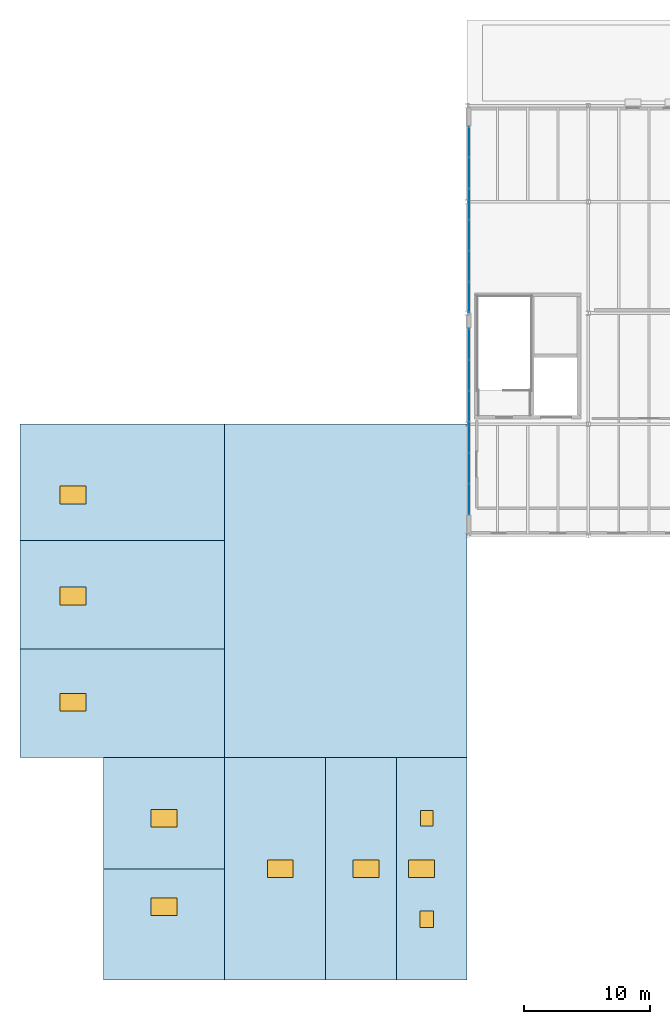
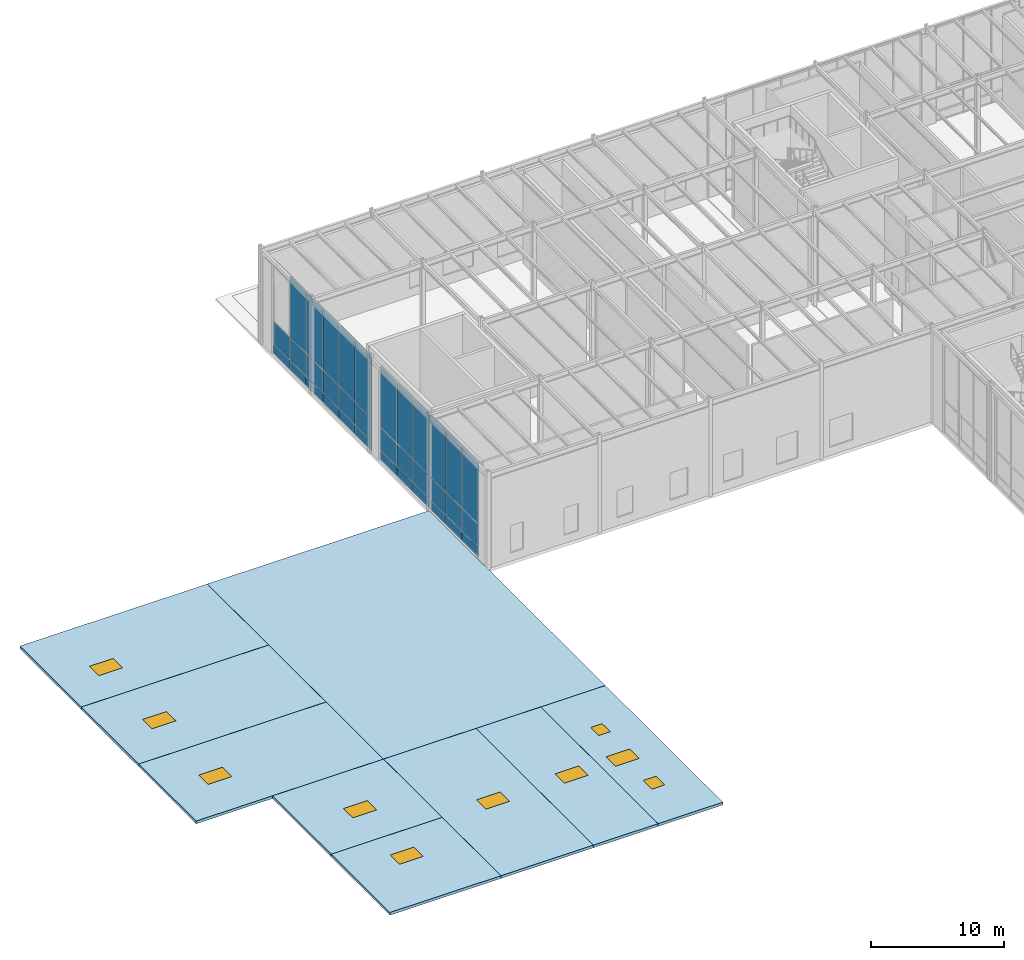
# One storey, part 25 of 48: 35 plates, 9 slabs, 8 windows, 2 doors, 10 openings, 2 elements without a shape of their own.
"""IFC4 building model written with IfcOpenShell, lengths in metres."""

from ifc_helpers import new_model, si_unit, direction, frame, origin, origin_2d, place, context, subcontext, project, spatial, polyline, rectangle, outline, extrude, material, layer, layer_set, type_object, element, fill, aggregate, save


model = new_model("IFC4")

# Units and contexts
model_context = context("Model", 3, precision=1e-05, world=origin(), true_north=direction((0.0, 1.0)))
body_context = subcontext(model_context, "Body", "Model", "MODEL_VIEW")
ifc_project = project(units=[si_unit("LENGTHUNIT", "METRE"), si_unit("AREAUNIT", "SQUARE_METRE"), si_unit("VOLUMEUNIT", "CUBIC_METRE"), si_unit("PLANEANGLEUNIT", "RADIAN"), si_unit("MASSUNIT", "GRAM", prefix="KILO")], contexts=[model_context])

# Site, building, storey
site_placement = place(None, origin())
site = spatial("IfcSite", under=ifc_project, at=site_placement, CompositionType="ELEMENT")
building_placement = place(site_placement, origin())
building = spatial("IfcBuilding", under=site, at=building_placement, Name="Sarnbrook Museum", CompositionType="ELEMENT")
storey_placement = place(building_placement, frame((0.0, 0.0, 19.10009765625)))
storey = spatial("IfcBuildingStorey", under=building, at=storey_placement, Name="L04", CompositionType="ELEMENT", Elevation=19.10009765625)

# Curtain wall, plates
ifc_material_1 = material(Name="Thermally Broken Anodised Aluminium 6063-T6", Category="aluminium")
curtain_wall_type = type_object("IfcCurtainWallType", Name="CurtainWall_GalleryRibbon", PredefinedType="NOTDEFINED", material=ifc_material_1)
curtain_wall_1_placement = place(storey_placement, origin())
curtain_wall_1 = element("IfcCurtainWall", 1, at=curtain_wall_1_placement, inside=storey, type_object=curtain_wall_type, Name="Gallery Ribbon Curtain Wall L04-2.1", PredefinedType="NOTDEFINED")
ifc_material_2 = material(Name="Double-Glazed Low-Iron Laminated Safety Glass", Category="glass")
ifc_layer_1 = layer(ifc_material_2, 0.031982421875)
ifc_layer_set_1 = layer_set([ifc_layer_1], Name="Double-Glazed Low-Iron Laminated Safety Glass")
plate_type_1 = type_object("IfcPlateType", Name="CW_GlazedPanel_32", PredefinedType="CURTAIN_PANEL", material=ifc_layer_set_1)
plate_1_placement = place(storey_placement, frame((42.56787109375, 105.550048828125, 1.949951171875), z_axis=(-1.0, 0.0, 0.0), x_axis=(0.0, -1.0, 0.0)))
plate_1 = element("IfcPlate", 2, at=plate_1_placement, type_object=plate_type_1, Name="Gallery Ribbon Curtain Wall L04-2.1 Glazed Panel 1-2", PredefinedType="CURTAIN_PANEL", context=body_context, shape_type="SweptSolid", body=[
    extrude(rectangle(XDim=2.385009765625, YDim=2.030029296875, at=origin_2d()), origin(), (0.0, 0.0, 1.0), 0.031982421875),
])
plate_2_placement = place(storey_placement, frame((42.56787109375, 103.090087890625, 1.949951171875), z_axis=(-1.0, 0.0, 0.0), x_axis=(0.0, -1.0, 0.0)))
plate_2 = element("IfcPlate", 3, at=plate_2_placement, type_object=plate_type_1, Name="Gallery Ribbon Curtain Wall L04-2.1 Glazed Panel 2-2", PredefinedType="CURTAIN_PANEL", context=body_context, shape_type="SweptSolid", body=[
    extrude(rectangle(XDim=2.385009765625, YDim=2.030029296875, at=origin_2d()), origin(), (0.0, 0.0, 1.0), 0.031982421875),
])
plate_3_placement = place(storey_placement, frame((42.56787109375, 103.090087890625, 5.829833984375), z_axis=(-1.0, 0.0, 0.0), x_axis=(0.0, -1.0, 0.0)))
plate_3 = element("IfcPlate", 4, at=plate_3_placement, type_object=plate_type_1, Name="Gallery Ribbon Curtain Wall L04-2.1 Glazed Panel 2-3", PredefinedType="CURTAIN_PANEL", context=body_context, shape_type="SweptSolid", body=[
    extrude(rectangle(XDim=2.385009765625, YDim=5.590087890625, at=origin_2d()), origin(), (0.0, 0.0, 1.0), 0.031982421875),
])
plate_4_placement = place(storey_placement, frame((42.56787109375, 100.6298828125, 1.949951171875), z_axis=(-1.0, 0.0, 0.0), x_axis=(0.0, -1.0, 0.0)))
plate_4 = element("IfcPlate", 5, at=plate_4_placement, type_object=plate_type_1, Name="Gallery Ribbon Curtain Wall L04-2.1 Glazed Panel 3-2", PredefinedType="CURTAIN_PANEL", context=body_context, shape_type="SweptSolid", body=[
    extrude(rectangle(XDim=2.385009765625, YDim=2.030029296875, at=origin_2d()), origin(), (0.0, 0.0, 1.0), 0.031982421875),
])
plate_5_placement = place(storey_placement, frame((42.56787109375, 100.6298828125, 5.829833984375), z_axis=(-1.0, 0.0, 0.0), x_axis=(0.0, -1.0, 0.0)))
plate_5 = element("IfcPlate", 6, at=plate_5_placement, type_object=plate_type_1, Name="Gallery Ribbon Curtain Wall L04-2.1 Glazed Panel 3-3", PredefinedType="CURTAIN_PANEL", context=body_context, shape_type="SweptSolid", body=[
    extrude(rectangle(XDim=2.385009765625, YDim=5.590087890625, at=origin_2d()), origin(), (0.0, 0.0, 1.0), 0.031982421875),
])
plate_6_placement = place(storey_placement, frame((42.56787109375, 98.169921875, 1.949951171875), z_axis=(-1.0, 0.0, 0.0), x_axis=(0.0, -1.0, 0.0)))
plate_6 = element("IfcPlate", 7, at=plate_6_placement, type_object=plate_type_1, Name="Gallery Ribbon Curtain Wall L04-2.1 Glazed Panel 4-2", PredefinedType="CURTAIN_PANEL", context=body_context, shape_type="SweptSolid", body=[
    extrude(rectangle(XDim=2.385009765625, YDim=2.030029296875, at=origin_2d()), origin(), (0.0, 0.0, 1.0), 0.031982421875),
])
plate_7_placement = place(storey_placement, frame((42.56787109375, 98.169921875, 5.829833984375), z_axis=(-1.0, 0.0, 0.0), x_axis=(0.0, -1.0, 0.0)))
plate_7 = element("IfcPlate", 8, at=plate_7_placement, type_object=plate_type_1, Name="Gallery Ribbon Curtain Wall L04-2.1 Glazed Panel 4-3", PredefinedType="CURTAIN_PANEL", context=body_context, shape_type="SweptSolid", body=[
    extrude(rectangle(XDim=2.385009765625, YDim=5.590087890625, at=origin_2d()), origin(), (0.0, 0.0, 1.0), 0.031982421875),
])
plate_8_placement = place(storey_placement, frame((42.56787109375, 95.7099609375, 1.949951171875), z_axis=(-1.0, 0.0, 0.0), x_axis=(0.0, -1.0, 0.0)))
plate_8 = element("IfcPlate", 9, at=plate_8_placement, type_object=plate_type_1, Name="Gallery Ribbon Curtain Wall L04-2.1 Glazed Panel 5-2", PredefinedType="CURTAIN_PANEL", context=body_context, shape_type="SweptSolid", body=[
    extrude(rectangle(XDim=2.385009765625, YDim=2.030029296875, at=origin_2d()), origin(), (0.0, 0.0, 1.0), 0.031982421875),
])
plate_9_placement = place(storey_placement, frame((42.56787109375, 95.7099609375, 5.829833984375), z_axis=(-1.0, 0.0, 0.0), x_axis=(0.0, -1.0, 0.0)))
plate_9 = element("IfcPlate", 10, at=plate_9_placement, type_object=plate_type_1, Name="Gallery Ribbon Curtain Wall L04-2.1 Glazed Panel 5-3", PredefinedType="CURTAIN_PANEL", context=body_context, shape_type="SweptSolid", body=[
    extrude(rectangle(XDim=2.385009765625, YDim=5.590087890625, at=origin_2d()), origin(), (0.0, 0.0, 1.0), 0.031982421875),
])
plate_10_placement = place(storey_placement, frame((42.56787109375, 93.25, 1.949951171875), z_axis=(-1.0, 0.0, 0.0), x_axis=(0.0, -1.0, 0.0)))
plate_10 = element("IfcPlate", 11, at=plate_10_placement, type_object=plate_type_1, Name="Gallery Ribbon Curtain Wall L04-2.1 Glazed Panel 6-2", PredefinedType="CURTAIN_PANEL", context=body_context, shape_type="SweptSolid", body=[
    extrude(rectangle(XDim=2.385009765625, YDim=2.030029296875, at=origin_2d()), origin(), (0.0, 0.0, 1.0), 0.031982421875),
])
plate_11_placement = place(storey_placement, frame((42.56787109375, 93.25, 5.829833984375), z_axis=(-1.0, 0.0, 0.0), x_axis=(0.0, -1.0, 0.0)))
plate_11 = element("IfcPlate", 12, at=plate_11_placement, type_object=plate_type_1, Name="Gallery Ribbon Curtain Wall L04-2.1 Glazed Panel 6-3", PredefinedType="CURTAIN_PANEL", context=body_context, shape_type="SweptSolid", body=[
    extrude(rectangle(XDim=2.385009765625, YDim=5.590087890625, at=origin_2d()), origin(), (0.0, 0.0, 1.0), 0.031982421875),
])

curtain_wall_2_placement = place(storey_placement, origin())
curtain_wall_2 = element("IfcCurtainWall", 13, at=curtain_wall_2_placement, inside=storey, type_object=curtain_wall_type, Name="Gallery Ribbon Curtain Wall L04-2.2", PredefinedType="NOTDEFINED")
plate_12_placement = place(storey_placement, frame((42.56787109375, 89.550048828125, 1.949951171875), z_axis=(-1.0, 0.0, 0.0), x_axis=(0.0, -1.0, 0.0)))
plate_12 = element("IfcPlate", 14, at=plate_12_placement, type_object=plate_type_1, Name="Gallery Ribbon Curtain Wall L04-2.2 Glazed Panel 1-2", PredefinedType="CURTAIN_PANEL", context=body_context, shape_type="SweptSolid", body=[
    extrude(rectangle(XDim=2.385009765625, YDim=2.030029296875, at=origin_2d()), origin(), (0.0, 0.0, 1.0), 0.031982421875),
])
plate_13_placement = place(storey_placement, frame((42.56787109375, 89.550048828125, 5.829833984375), z_axis=(-1.0, 0.0, 0.0), x_axis=(0.0, -1.0, 0.0)))
plate_13 = element("IfcPlate", 15, at=plate_13_placement, type_object=plate_type_1, Name="Gallery Ribbon Curtain Wall L04-2.2 Glazed Panel 1-3", PredefinedType="CURTAIN_PANEL", context=body_context, shape_type="SweptSolid", body=[
    extrude(rectangle(XDim=2.385009765625, YDim=5.590087890625, at=origin_2d()), origin(), (0.0, 0.0, 1.0), 0.031982421875),
])
plate_14_placement = place(storey_placement, frame((42.56787109375, 87.090087890625, 1.949951171875), z_axis=(-1.0, 0.0, 0.0), x_axis=(0.0, -1.0, 0.0)))
plate_14 = element("IfcPlate", 16, at=plate_14_placement, type_object=plate_type_1, Name="Gallery Ribbon Curtain Wall L04-2.2 Glazed Panel 2-2", PredefinedType="CURTAIN_PANEL", context=body_context, shape_type="SweptSolid", body=[
    extrude(rectangle(XDim=2.385009765625, YDim=2.030029296875, at=origin_2d()), origin(), (0.0, 0.0, 1.0), 0.031982421875),
])
plate_15_placement = place(storey_placement, frame((42.56787109375, 87.090087890625, 5.829833984375), z_axis=(-1.0, 0.0, 0.0), x_axis=(0.0, -1.0, 0.0)))
plate_15 = element("IfcPlate", 17, at=plate_15_placement, type_object=plate_type_1, Name="Gallery Ribbon Curtain Wall L04-2.2 Glazed Panel 2-3", PredefinedType="CURTAIN_PANEL", context=body_context, shape_type="SweptSolid", body=[
    extrude(rectangle(XDim=2.385009765625, YDim=5.590087890625, at=origin_2d()), origin(), (0.0, 0.0, 1.0), 0.031982421875),
])
plate_16_placement = place(storey_placement, frame((42.56787109375, 84.6298828125, 1.949951171875), z_axis=(-1.0, 0.0, 0.0), x_axis=(0.0, -1.0, 0.0)))
plate_16 = element("IfcPlate", 18, at=plate_16_placement, type_object=plate_type_1, Name="Gallery Ribbon Curtain Wall L04-2.2 Glazed Panel 3-2", PredefinedType="CURTAIN_PANEL", context=body_context, shape_type="SweptSolid", body=[
    extrude(rectangle(XDim=2.385009765625, YDim=2.030029296875, at=origin_2d()), origin(), (0.0, 0.0, 1.0), 0.031982421875),
])
plate_17_placement = place(storey_placement, frame((42.56787109375, 84.6298828125, 5.829833984375), z_axis=(-1.0, 0.0, 0.0), x_axis=(0.0, -1.0, 0.0)))
plate_17 = element("IfcPlate", 19, at=plate_17_placement, type_object=plate_type_1, Name="Gallery Ribbon Curtain Wall L04-2.2 Glazed Panel 3-3", PredefinedType="CURTAIN_PANEL", context=body_context, shape_type="SweptSolid", body=[
    extrude(rectangle(XDim=2.385009765625, YDim=5.590087890625, at=origin_2d()), origin(), (0.0, 0.0, 1.0), 0.031982421875),
])
plate_18_placement = place(storey_placement, frame((42.56787109375, 82.169921875, 1.949951171875), z_axis=(-1.0, 0.0, 0.0), x_axis=(0.0, -1.0, 0.0)))
plate_18 = element("IfcPlate", 20, at=plate_18_placement, type_object=plate_type_1, Name="Gallery Ribbon Curtain Wall L04-2.2 Glazed Panel 4-2", PredefinedType="CURTAIN_PANEL", context=body_context, shape_type="SweptSolid", body=[
    extrude(rectangle(XDim=2.385009765625, YDim=2.030029296875, at=origin_2d()), origin(), (0.0, 0.0, 1.0), 0.031982421875),
])
plate_19_placement = place(storey_placement, frame((42.56787109375, 82.169921875, 5.829833984375), z_axis=(-1.0, 0.0, 0.0), x_axis=(0.0, -1.0, 0.0)))
plate_19 = element("IfcPlate", 21, at=plate_19_placement, type_object=plate_type_1, Name="Gallery Ribbon Curtain Wall L04-2.2 Glazed Panel 4-3", PredefinedType="CURTAIN_PANEL", context=body_context, shape_type="SweptSolid", body=[
    extrude(rectangle(XDim=2.385009765625, YDim=5.590087890625, at=origin_2d()), origin(), (0.0, 0.0, 1.0), 0.031982421875),
])
plate_20_placement = place(storey_placement, frame((42.56787109375, 79.7099609375, 1.949951171875), z_axis=(-1.0, 0.0, 0.0), x_axis=(0.0, -1.0, 0.0)))
plate_20 = element("IfcPlate", 22, at=plate_20_placement, type_object=plate_type_1, Name="Gallery Ribbon Curtain Wall L04-2.2 Glazed Panel 5-2", PredefinedType="CURTAIN_PANEL", context=body_context, shape_type="SweptSolid", body=[
    extrude(rectangle(XDim=2.385009765625, YDim=2.030029296875, at=origin_2d()), origin(), (0.0, 0.0, 1.0), 0.031982421875),
])
plate_21_placement = place(storey_placement, frame((42.56787109375, 79.7099609375, 5.829833984375), z_axis=(-1.0, 0.0, 0.0), x_axis=(0.0, -1.0, 0.0)))
plate_21 = element("IfcPlate", 23, at=plate_21_placement, type_object=plate_type_1, Name="Gallery Ribbon Curtain Wall L04-2.2 Glazed Panel 5-3", PredefinedType="CURTAIN_PANEL", context=body_context, shape_type="SweptSolid", body=[
    extrude(rectangle(XDim=2.385009765625, YDim=5.590087890625, at=origin_2d()), origin(), (0.0, 0.0, 1.0), 0.031982421875),
])
plate_22_placement = place(storey_placement, frame((42.56787109375, 77.25, 1.949951171875), z_axis=(-1.0, 0.0, 0.0), x_axis=(0.0, -1.0, 0.0)))
plate_22 = element("IfcPlate", 24, at=plate_22_placement, type_object=plate_type_1, Name="Gallery Ribbon Curtain Wall L04-2.2 Glazed Panel 6-2", PredefinedType="CURTAIN_PANEL", context=body_context, shape_type="SweptSolid", body=[
    extrude(rectangle(XDim=2.385009765625, YDim=2.030029296875, at=origin_2d()), origin(), (0.0, 0.0, 1.0), 0.031982421875),
])
plate_23_placement = place(storey_placement, frame((42.56787109375, 77.25, 5.829833984375), z_axis=(-1.0, 0.0, 0.0), x_axis=(0.0, -1.0, 0.0)))
plate_23 = element("IfcPlate", 25, at=plate_23_placement, type_object=plate_type_1, Name="Gallery Ribbon Curtain Wall L04-2.2 Glazed Panel 6-3", PredefinedType="CURTAIN_PANEL", context=body_context, shape_type="SweptSolid", body=[
    extrude(rectangle(XDim=2.385009765625, YDim=5.590087890625, at=origin_2d()), origin(), (0.0, 0.0, 1.0), 0.031982421875),
])

# Plate
ifc_material_3 = material(Name="Patinated Architectural Bronze")
ifc_layer_2 = layer(ifc_material_3, 0.044921875)
ifc_layer_set_2 = layer_set([ifc_layer_2], Name="Patinated Architectural Bronze")
plate_type_2 = type_object("IfcPlateType", Name="CW_SpandrelPanel_45", PredefinedType="CURTAIN_PANEL", material=ifc_layer_set_2)
plate_24_placement = place(storey_placement, frame((42.574462890625, 105.550048828125, 0.449951171875), z_axis=(-1.0, 0.0, 0.0), x_axis=(0.0, -1.0, 0.0)))
plate_24 = element("IfcPlate", 26, at=plate_24_placement, type_object=plate_type_2, Name="Gallery Ribbon Curtain Wall L04-2.1 Spandrel Panel 1-1", PredefinedType="CURTAIN_PANEL", context=body_context, shape_type="SweptSolid", body=[
    extrude(rectangle(XDim=2.385009765625, YDim=0.830078125, at=origin_2d()), origin(), (0.0, 0.0, 1.0), 0.044921875),
])

plate_25_placement = place(storey_placement, frame((42.574462890625, 103.090087890625, 0.449951171875), z_axis=(-1.0, 0.0, 0.0), x_axis=(0.0, -1.0, 0.0)))
plate_25 = element("IfcPlate", 27, at=plate_25_placement, type_object=plate_type_2, Name="Gallery Ribbon Curtain Wall L04-2.1 Spandrel Panel 2-1", PredefinedType="CURTAIN_PANEL", context=body_context, shape_type="SweptSolid", body=[
    extrude(rectangle(XDim=2.385009765625, YDim=0.830078125, at=origin_2d()), origin(), (0.0, 0.0, 1.0), 0.044921875),
])

plate_26_placement = place(storey_placement, frame((42.574462890625, 100.6298828125, 0.449951171875), z_axis=(-1.0, 0.0, 0.0), x_axis=(0.0, -1.0, 0.0)))
plate_26 = element("IfcPlate", 28, at=plate_26_placement, type_object=plate_type_2, Name="Gallery Ribbon Curtain Wall L04-2.1 Spandrel Panel 3-1", PredefinedType="CURTAIN_PANEL", context=body_context, shape_type="SweptSolid", body=[
    extrude(rectangle(XDim=2.385009765625, YDim=0.830078125, at=origin_2d()), origin(), (0.0, 0.0, 1.0), 0.044921875),
])

plate_27_placement = place(storey_placement, frame((42.574462890625, 98.169921875, 0.449951171875), z_axis=(-1.0, 0.0, 0.0), x_axis=(0.0, -1.0, 0.0)))
plate_27 = element("IfcPlate", 29, at=plate_27_placement, type_object=plate_type_2, Name="Gallery Ribbon Curtain Wall L04-2.1 Spandrel Panel 4-1", PredefinedType="CURTAIN_PANEL", context=body_context, shape_type="SweptSolid", body=[
    extrude(rectangle(XDim=2.385009765625, YDim=0.830078125, at=origin_2d()), origin(), (0.0, 0.0, 1.0), 0.044921875),
])

plate_28_placement = place(storey_placement, frame((42.574462890625, 95.7099609375, 0.449951171875), z_axis=(-1.0, 0.0, 0.0), x_axis=(0.0, -1.0, 0.0)))
plate_28 = element("IfcPlate", 30, at=plate_28_placement, type_object=plate_type_2, Name="Gallery Ribbon Curtain Wall L04-2.1 Spandrel Panel 5-1", PredefinedType="CURTAIN_PANEL", context=body_context, shape_type="SweptSolid", body=[
    extrude(rectangle(XDim=2.385009765625, YDim=0.830078125, at=origin_2d()), origin(), (0.0, 0.0, 1.0), 0.044921875),
])

plate_29_placement = place(storey_placement, frame((42.574462890625, 93.25, 0.449951171875), z_axis=(-1.0, 0.0, 0.0), x_axis=(0.0, -1.0, 0.0)))
plate_29 = element("IfcPlate", 31, at=plate_29_placement, type_object=plate_type_2, Name="Gallery Ribbon Curtain Wall L04-2.1 Spandrel Panel 6-1", PredefinedType="CURTAIN_PANEL", context=body_context, shape_type="SweptSolid", body=[
    extrude(rectangle(XDim=2.385009765625, YDim=0.830078125, at=origin_2d()), origin(), (0.0, 0.0, 1.0), 0.044921875),
])

aggregate(curtain_wall_1, [plate_24, plate_1, plate_25, plate_2, plate_3, plate_26, plate_4, plate_5, plate_27, plate_6, plate_7, plate_28, plate_8, plate_9, plate_29, plate_10, plate_11])

plate_30_placement = place(storey_placement, frame((42.574462890625, 89.550048828125, 0.449951171875), z_axis=(-1.0, 0.0, 0.0), x_axis=(0.0, -1.0, 0.0)))
plate_30 = element("IfcPlate", 32, at=plate_30_placement, type_object=plate_type_2, Name="Gallery Ribbon Curtain Wall L04-2.2 Spandrel Panel 1-1", PredefinedType="CURTAIN_PANEL", context=body_context, shape_type="SweptSolid", body=[
    extrude(rectangle(XDim=2.385009765625, YDim=0.830078125, at=origin_2d()), origin(), (0.0, 0.0, 1.0), 0.044921875),
])

plate_31_placement = place(storey_placement, frame((42.574462890625, 87.090087890625, 0.449951171875), z_axis=(-1.0, 0.0, 0.0), x_axis=(0.0, -1.0, 0.0)))
plate_31 = element("IfcPlate", 33, at=plate_31_placement, type_object=plate_type_2, Name="Gallery Ribbon Curtain Wall L04-2.2 Spandrel Panel 2-1", PredefinedType="CURTAIN_PANEL", context=body_context, shape_type="SweptSolid", body=[
    extrude(rectangle(XDim=2.385009765625, YDim=0.830078125, at=origin_2d()), origin(), (0.0, 0.0, 1.0), 0.044921875),
])

plate_32_placement = place(storey_placement, frame((42.574462890625, 84.6298828125, 0.449951171875), z_axis=(-1.0, 0.0, 0.0), x_axis=(0.0, -1.0, 0.0)))
plate_32 = element("IfcPlate", 34, at=plate_32_placement, type_object=plate_type_2, Name="Gallery Ribbon Curtain Wall L04-2.2 Spandrel Panel 3-1", PredefinedType="CURTAIN_PANEL", context=body_context, shape_type="SweptSolid", body=[
    extrude(rectangle(XDim=2.385009765625, YDim=0.830078125, at=origin_2d()), origin(), (0.0, 0.0, 1.0), 0.044921875),
])

plate_33_placement = place(storey_placement, frame((42.574462890625, 82.169921875, 0.449951171875), z_axis=(-1.0, 0.0, 0.0), x_axis=(0.0, -1.0, 0.0)))
plate_33 = element("IfcPlate", 35, at=plate_33_placement, type_object=plate_type_2, Name="Gallery Ribbon Curtain Wall L04-2.2 Spandrel Panel 4-1", PredefinedType="CURTAIN_PANEL", context=body_context, shape_type="SweptSolid", body=[
    extrude(rectangle(XDim=2.385009765625, YDim=0.830078125, at=origin_2d()), origin(), (0.0, 0.0, 1.0), 0.044921875),
])

plate_34_placement = place(storey_placement, frame((42.574462890625, 79.7099609375, 0.449951171875), z_axis=(-1.0, 0.0, 0.0), x_axis=(0.0, -1.0, 0.0)))
plate_34 = element("IfcPlate", 36, at=plate_34_placement, type_object=plate_type_2, Name="Gallery Ribbon Curtain Wall L04-2.2 Spandrel Panel 5-1", PredefinedType="CURTAIN_PANEL", context=body_context, shape_type="SweptSolid", body=[
    extrude(rectangle(XDim=2.385009765625, YDim=0.830078125, at=origin_2d()), origin(), (0.0, 0.0, 1.0), 0.044921875),
])

plate_35_placement = place(storey_placement, frame((42.574462890625, 77.25, 0.449951171875), z_axis=(-1.0, 0.0, 0.0), x_axis=(0.0, -1.0, 0.0)))
plate_35 = element("IfcPlate", 37, at=plate_35_placement, type_object=plate_type_2, Name="Gallery Ribbon Curtain Wall L04-2.2 Spandrel Panel 6-1", PredefinedType="CURTAIN_PANEL", context=body_context, shape_type="SweptSolid", body=[
    extrude(rectangle(XDim=2.385009765625, YDim=0.830078125, at=origin_2d()), origin(), (0.0, 0.0, 1.0), 0.044921875),
])

aggregate(curtain_wall_2, [plate_30, plate_12, plate_13, plate_31, plate_14, plate_15, plate_32, plate_16, plate_17, plate_33, plate_18, plate_19, plate_34, plate_20, plate_21, plate_35, plate_22, plate_23])

# Slab, opening, window
ifc_material_4 = material(Name="Concrete N40 (AS 3600, f'c = 40 MPa)", Category="concrete")
ifc_layer_3 = layer(ifc_material_4, 0.25)
ifc_layer_set_3 = layer_set([ifc_layer_3], Name="Concrete N40 (AS 3600, f'c = 40 MPa)")
slab_type = type_object("IfcSlabType", Name="RoofSlab_Curb250", PredefinedType="ROOF", material=ifc_layer_set_3)
slab_1_placement = place(storey_placement, frame((0.0, 0.0, -0.25)))
slab_1 = element("IfcSlab", 38, at=slab_1_placement, inside=storey, type_object=slab_type, Name="Sculpture Wing Skylight Roof Slab 1", PredefinedType="ROOF", context=body_context, shape_type="SweptSolid", body=[
    extrude(outline(polyline([(7.0, 56.800048828125), (7.0, 65.39990234375), (23.199951171875, 65.39990234375), (23.199951171875, 56.800048828125), (7.0, 56.800048828125)])), origin(), (0.0, 0.0, 1.0), 0.25),
])
opening_1_placement = place(slab_1_placement, frame((11.199951171875, 61.199951171875, -0.010009765625)))
opening_1 = element("IfcOpeningElement", 39, at=opening_1_placement, cuts=slab_1, Name="Opening RL-23", PredefinedType="OPENING", context=body_context, shape_type="SweptSolid", body=[
    extrude(rectangle(XDim=2.050048828125, YDim=1.39990234375, at=origin_2d()), origin(), (0.0, 0.0, 1.0), 0.27001953125),
])
ifc_material_5 = material(Name="Ceramic-Fritted Double-Glazed Low-Iron Glass", Category="glass")
window_type = type_object("IfcWindowType", Name="Skylight_NorthLight_3", PartitioningType="SINGLE_PANEL", PredefinedType="SKYLIGHT", material=ifc_material_5)
window_1_placement = place(opening_1_placement, frame((0.0, 0.0, 0.219970703125)))
window_1 = element("IfcWindow", 40, at=window_1_placement, inside=storey, type_object=window_type, Name="North-Light Rooflight RL-23", OverallHeight=1.39990234375, OverallWidth=2.050048828125, PartitioningType="SINGLE_PANEL", PredefinedType="SKYLIGHT", context=body_context, shape_type="SweptSolid", body=[
    extrude(rectangle(XDim=2.050048828125, YDim=1.39990234375, at=origin_2d()), origin(), (0.0, 0.0, 1.0), 0.0400390625),
])
fill(opening_1, window_1)

slab_2_placement = place(storey_placement, frame((0.0, 0.0, -0.25)))
slab_2 = element("IfcSlab", 41, at=slab_2_placement, inside=storey, type_object=slab_type, Name="Sculpture Wing Skylight Roof Slab 2", PredefinedType="ROOF", context=body_context, shape_type="SweptSolid", body=[
    extrude(outline(polyline([(7.0, 74.0), (23.199951171875, 74.0), (23.199951171875, 65.404052734375), (7.0, 65.404052734375), (7.0, 74.0)])), origin(), (0.0, 0.0, 1.0), 0.25),
])
opening_2_placement = place(slab_2_placement, frame((11.199951171875, 69.60009765625, -0.010009765625)))
opening_2 = element("IfcOpeningElement", 42, at=opening_2_placement, cuts=slab_2, Name="Opening RL-24", PredefinedType="OPENING", context=body_context, shape_type="SweptSolid", body=[
    extrude(rectangle(XDim=2.050048828125, YDim=1.39990234375, at=origin_2d()), origin(), (0.0, 0.0, 1.0), 0.27001953125),
])
window_2_placement = place(opening_2_placement, frame((0.0, 0.0, 0.219970703125)))
window_2 = element("IfcWindow", 43, at=window_2_placement, inside=storey, type_object=window_type, Name="North-Light Rooflight RL-24", OverallHeight=1.39990234375, OverallWidth=2.050048828125, PartitioningType="SINGLE_PANEL", PredefinedType="SKYLIGHT", context=body_context, shape_type="SweptSolid", body=[
    extrude(rectangle(XDim=2.050048828125, YDim=1.39990234375, at=origin_2d()), origin(), (0.0, 0.0, 1.0), 0.0400390625),
])
fill(opening_2, window_2)

slab_3_placement = place(storey_placement, frame((0.0, 0.0, -0.25)))
slab_3 = element("IfcSlab", 44, at=slab_3_placement, inside=storey, type_object=slab_type, Name="Sculpture Wing Skylight Roof Slab 3", PredefinedType="ROOF", context=body_context, shape_type="SweptSolid", body=[
    extrude(outline(polyline([(7.0, 83.199951171875), (23.199951171875, 83.199951171875), (23.199951171875, 74.00390625), (7.0, 74.00390625), (7.0, 83.199951171875)])), origin(), (0.0, 0.0, 1.0), 0.25),
])
opening_3_placement = place(slab_3_placement, frame((11.199951171875, 77.60009765625, -0.010009765625)))
opening_3 = element("IfcOpeningElement", 45, at=opening_3_placement, cuts=slab_3, Name="Opening RL-25", PredefinedType="OPENING", context=body_context, shape_type="SweptSolid", body=[
    extrude(rectangle(XDim=2.050048828125, YDim=1.39990234375, at=origin_2d()), origin(), (0.0, 0.0, 1.0), 0.27001953125),
])
window_3_placement = place(opening_3_placement, frame((0.0, 0.0, 0.219970703125)))
window_3 = element("IfcWindow", 46, at=window_3_placement, inside=storey, type_object=window_type, Name="North-Light Rooflight RL-25", OverallHeight=1.39990234375, OverallWidth=2.050048828125, PartitioningType="SINGLE_PANEL", PredefinedType="SKYLIGHT", context=body_context, shape_type="SweptSolid", body=[
    extrude(rectangle(XDim=2.050048828125, YDim=1.39990234375, at=origin_2d()), origin(), (0.0, 0.0, 1.0), 0.0400390625),
])
fill(opening_3, window_3)

slab_4_placement = place(storey_placement, frame((0.0, 0.0, -0.25)))
slab_4 = element("IfcSlab", 47, at=slab_4_placement, inside=storey, type_object=slab_type, Name="Sculpture Wing Skylight Roof Slab 4", PredefinedType="ROOF", context=body_context, shape_type="SweptSolid", body=[
    extrude(outline(polyline([(13.60009765625, 39.199951171875), (13.60009765625, 48.0), (23.199951171875, 48.0), (23.199951171875, 39.199951171875), (13.60009765625, 39.199951171875)])), origin(), (0.0, 0.0, 1.0), 0.25),
])
opening_4_placement = place(slab_4_placement, frame((18.39990234375, 45.0, -0.010009765625)))
opening_4 = element("IfcOpeningElement", 48, at=opening_4_placement, cuts=slab_4, Name="Opening RL-21", PredefinedType="OPENING", context=body_context, shape_type="SweptSolid", body=[
    extrude(rectangle(XDim=2.050048828125, YDim=1.39990234375, at=origin_2d()), origin(), (0.0, 0.0, 1.0), 0.27001953125),
])
window_4_placement = place(opening_4_placement, frame((0.0, 0.0, 0.219970703125)))
window_4 = element("IfcWindow", 49, at=window_4_placement, inside=storey, type_object=window_type, Name="North-Light Rooflight RL-21", OverallHeight=1.39990234375, OverallWidth=2.050048828125, PartitioningType="SINGLE_PANEL", PredefinedType="SKYLIGHT", context=body_context, shape_type="SweptSolid", body=[
    extrude(rectangle(XDim=2.050048828125, YDim=1.39990234375, at=origin_2d()), origin(), (0.0, 0.0, 1.0), 0.0400390625),
])
fill(opening_4, window_4)

slab_5_placement = place(storey_placement, frame((0.0, 0.0, -0.25)))
slab_5 = element("IfcSlab", 50, at=slab_5_placement, inside=storey, type_object=slab_type, Name="Sculpture Wing Skylight Roof Slab 5", PredefinedType="ROOF", context=body_context, shape_type="SweptSolid", body=[
    extrude(outline(polyline([(23.199951171875, 48.00390625), (13.60009765625, 48.00390625), (13.60009765625, 56.7958984375), (23.199951171875, 56.7958984375), (23.199951171875, 48.00390625)])), origin(), (0.0, 0.0, 1.0), 0.25),
])
opening_5_placement = place(slab_5_placement, frame((18.39990234375, 52.0, -0.010009765625)))
opening_5 = element("IfcOpeningElement", 51, at=opening_5_placement, cuts=slab_5, Name="Opening RL-22", PredefinedType="OPENING", context=body_context, shape_type="SweptSolid", body=[
    extrude(rectangle(XDim=2.050048828125, YDim=1.39990234375, at=origin_2d()), origin(), (0.0, 0.0, 1.0), 0.27001953125),
])
window_5_placement = place(opening_5_placement, frame((0.0, 0.0, 0.219970703125)))
window_5 = element("IfcWindow", 52, at=window_5_placement, inside=storey, type_object=window_type, Name="North-Light Rooflight RL-22", OverallHeight=1.39990234375, OverallWidth=2.050048828125, PartitioningType="SINGLE_PANEL", PredefinedType="SKYLIGHT", context=body_context, shape_type="SweptSolid", body=[
    extrude(rectangle(XDim=2.050048828125, YDim=1.39990234375, at=origin_2d()), origin(), (0.0, 0.0, 1.0), 0.0400390625),
])
fill(opening_5, window_5)

slab_6_placement = place(storey_placement, frame((0.0, 0.0, -0.25)))
slab_6 = element("IfcSlab", 53, at=slab_6_placement, inside=storey, type_object=slab_type, Name="Sculpture Wing Skylight Roof Slab 6", PredefinedType="ROOF", context=body_context, shape_type="SweptSolid", body=[
    extrude(outline(polyline([(31.199951171875, 56.800048828125), (31.199951171875, 39.199951171875), (23.2041015625, 39.199951171875), (23.2041015625, 48.0), (23.2041015625, 48.00390625), (23.2041015625, 56.7958984375), (23.2041015625, 56.800048828125), (31.199951171875, 56.800048828125)])), origin(), (0.0, 0.0, 1.0), 0.25),
])
opening_6_placement = place(slab_6_placement, frame((27.60009765625, 48.0, -0.010009765625)))
opening_6 = element("IfcOpeningElement", 54, at=opening_6_placement, cuts=slab_6, Name="Opening RL-26", PredefinedType="OPENING", context=body_context, shape_type="SweptSolid", body=[
    extrude(rectangle(XDim=2.050048828125, YDim=1.39990234375, at=origin_2d()), origin(), (0.0, 0.0, 1.0), 0.27001953125),
])
window_6_placement = place(opening_6_placement, frame((0.0, 0.0, 0.219970703125)))
window_6 = element("IfcWindow", 55, at=window_6_placement, inside=storey, type_object=window_type, Name="North-Light Rooflight RL-26", OverallHeight=1.39990234375, OverallWidth=2.050048828125, PartitioningType="SINGLE_PANEL", PredefinedType="SKYLIGHT", context=body_context, shape_type="SweptSolid", body=[
    extrude(rectangle(XDim=2.050048828125, YDim=1.39990234375, at=origin_2d()), origin(), (0.0, 0.0, 1.0), 0.0400390625),
])
fill(opening_6, window_6)

slab_7_placement = place(storey_placement, frame((0.0, 0.0, -0.25)))
slab_7 = element("IfcSlab", 56, at=slab_7_placement, inside=storey, type_object=slab_type, Name="Sculpture Wing Skylight Roof Slab 7", PredefinedType="ROOF", context=body_context, shape_type="SweptSolid", body=[
    extrude(outline(polyline([(36.800048828125, 56.800048828125), (36.800048828125, 39.199951171875), (31.2041015625, 39.199951171875), (31.2041015625, 56.800048828125), (36.800048828125, 56.800048828125)])), origin(), (0.0, 0.0, 1.0), 0.25),
])
opening_7_placement = place(slab_7_placement, frame((34.39990234375, 48.0, -0.010009765625)))
opening_7 = element("IfcOpeningElement", 57, at=opening_7_placement, cuts=slab_7, Name="Opening RL-27", PredefinedType="OPENING", context=body_context, shape_type="SweptSolid", body=[
    extrude(rectangle(XDim=2.050048828125, YDim=1.39990234375, at=origin_2d()), origin(), (0.0, 0.0, 1.0), 0.27001953125),
])
window_7_placement = place(opening_7_placement, frame((0.0, 0.0, 0.219970703125)))
window_7 = element("IfcWindow", 58, at=window_7_placement, inside=storey, type_object=window_type, Name="North-Light Rooflight RL-27", OverallHeight=1.39990234375, OverallWidth=2.050048828125, PartitioningType="SINGLE_PANEL", PredefinedType="SKYLIGHT", context=body_context, shape_type="SweptSolid", body=[
    extrude(rectangle(XDim=2.050048828125, YDim=1.39990234375, at=origin_2d()), origin(), (0.0, 0.0, 1.0), 0.0400390625),
])
fill(opening_7, window_7)

# Slab, openings, doors, window
slab_8_placement = place(storey_placement, frame((0.0, 0.0, -0.25)))
slab_8 = element("IfcSlab", 59, at=slab_8_placement, inside=storey, type_object=slab_type, Name="Sculpture Wing Skylight Roof Slab 8", PredefinedType="ROOF", context=body_context, shape_type="SweptSolid", body=[
    extrude(outline(polyline([(42.39990234375, 56.800048828125), (42.39990234375, 39.199951171875), (36.803955078125, 39.199951171875), (36.803955078125, 56.800048828125), (42.39990234375, 56.800048828125)])), origin(), (0.0, 0.0, 1.0), 0.25),
])
opening_8_placement = place(slab_8_placement, frame((38.800048828125, 48.0, -0.010009765625)))
opening_8 = element("IfcOpeningElement", 60, at=opening_8_placement, cuts=slab_8, Name="Opening RL-28", PredefinedType="OPENING", context=body_context, shape_type="SweptSolid", body=[
    extrude(rectangle(XDim=2.050048828125, YDim=1.39990234375, at=origin_2d()), origin(), (0.0, 0.0, 1.0), 0.27001953125),
])
opening_9_placement = place(slab_8_placement, frame((39.199951171875, 44.0, -0.010009765625)))
opening_9 = element("IfcOpeningElement", 61, at=opening_9_placement, cuts=slab_8, Name="Opening RH-01", PredefinedType="OPENING", context=body_context, shape_type="SweptSolid", body=[
    extrude(rectangle(XDim=1.10009765625, YDim=1.300048828125, at=origin_2d()), origin(), (0.0, 0.0, 1.0), 0.27001953125),
])
opening_10_placement = place(slab_8_placement, frame((39.199951171875, 52.0, -0.010009765625)))
opening_10 = element("IfcOpeningElement", 62, at=opening_10_placement, cuts=slab_8, Name="Opening RH-02", PredefinedType="OPENING", context=body_context, shape_type="SweptSolid", body=[
    extrude(rectangle(XDim=1.0, YDim=1.199951171875, at=origin_2d()), origin(), (0.0, 0.0, 1.0), 0.27001953125),
])
ifc_material_6 = material(Name="Brushed Stainless Steel Grade 316", Category="steel")
door_type_1 = type_object("IfcDoorType", Name="HatchType_HT1", OperationType="SINGLE_SWING_LEFT", PredefinedType="TRAPDOOR", material=ifc_material_6)
door_1_placement = place(opening_9_placement, frame((0.0, 0.0, 0.219970703125)))
door_1 = element("IfcDoor", 63, at=door_1_placement, inside=storey, type_object=door_type_1, Name="Roof Maintenance Access Hatch RH-01", OperationType="SINGLE_SWING_LEFT", OverallHeight=1.300048828125, OverallWidth=1.10009765625, PredefinedType="TRAPDOOR", context=body_context, shape_type="SweptSolid", body=[
    extrude(rectangle(XDim=1.10009765625, YDim=1.300048828125, at=origin_2d()), origin(), (0.0, 0.0, 1.0), 0.0400390625),
])
fill(opening_9, door_1)
door_type_2 = type_object("IfcDoorType", Name="HatchType_HT2", OperationType="SINGLE_SWING_LEFT", PredefinedType="TRAPDOOR", material=ifc_material_6)
door_2_placement = place(opening_10_placement, frame((0.0, 0.0, 0.219970703125)))
door_2 = element("IfcDoor", 64, at=door_2_placement, inside=storey, type_object=door_type_2, Name="Roof Maintenance Access Hatch RH-02", OperationType="SINGLE_SWING_LEFT", OverallHeight=1.199951171875, OverallWidth=1.0, PredefinedType="TRAPDOOR", context=body_context, shape_type="SweptSolid", body=[
    extrude(rectangle(XDim=1.0, YDim=1.199951171875, at=origin_2d()), origin(), (0.0, 0.0, 1.0), 0.0400390625),
])
fill(opening_10, door_2)
window_8_placement = place(opening_8_placement, frame((0.0, 0.0, 0.219970703125)))
window_8 = element("IfcWindow", 65, at=window_8_placement, inside=storey, type_object=window_type, Name="North-Light Rooflight RL-28", OverallHeight=1.39990234375, OverallWidth=2.050048828125, PartitioningType="SINGLE_PANEL", PredefinedType="SKYLIGHT", context=body_context, shape_type="SweptSolid", body=[
    extrude(rectangle(XDim=2.050048828125, YDim=1.39990234375, at=origin_2d()), origin(), (0.0, 0.0, 1.0), 0.0400390625),
])
fill(opening_8, window_8)

# Slab
slab_9_placement = place(storey_placement, frame((0.0, 0.0, -0.25)))
element("IfcSlab", 66, at=slab_9_placement, inside=storey, type_object=slab_type, Name="Sculpture Wing Skylight Roof Slab 9", PredefinedType="ROOF", context=body_context, shape_type="SweptSolid", body=[
    extrude(outline(polyline([(42.39990234375, 56.803955078125), (36.803955078125, 56.803955078125), (36.800048828125, 56.803955078125), (31.2041015625, 56.803955078125), (31.199951171875, 56.803955078125), (23.2041015625, 56.803955078125), (23.2041015625, 65.39990234375), (23.2041015625, 65.404052734375), (23.2041015625, 74.0), (23.2041015625, 74.00390625), (23.2041015625, 83.199951171875), (42.39599609375, 83.199951171875), (42.39599609375, 74.39599609375), (42.39990234375, 74.39599609375), (42.39990234375, 56.803955078125)])), origin(), (0.0, 0.0, 1.0), 0.25),
])

save(model, "model.ifc")
